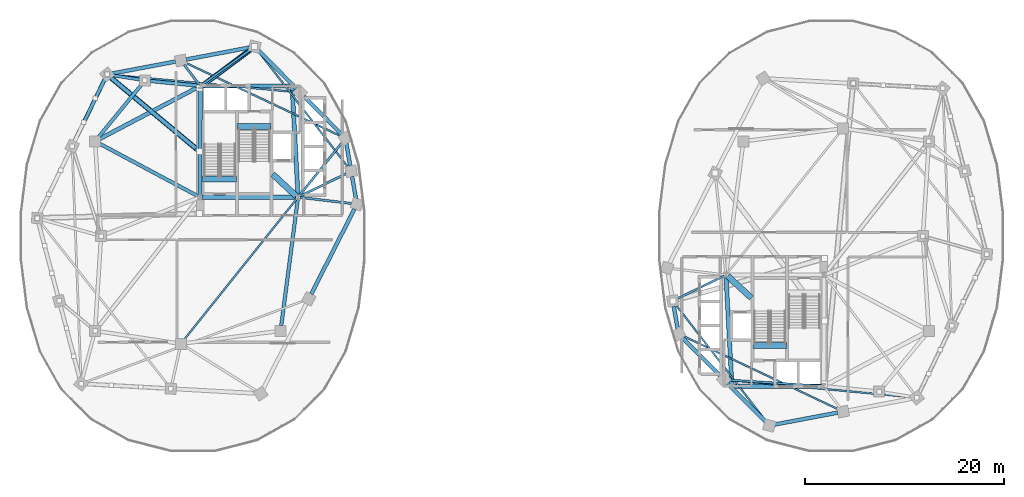
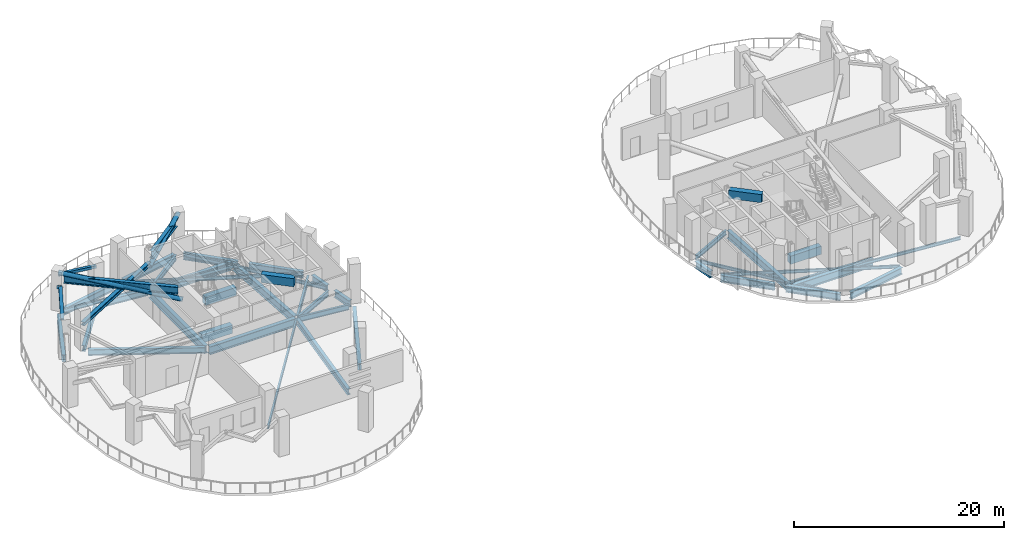
# One storey, part 2 of 12: 43 beams, 6 members.
"""IFC4 building model written with IfcOpenShell, lengths in metres."""

from ifc_helpers import new_model, si_unit, direction, frame, origin, origin_2d, place, context, subcontext, project, spatial, rectangle, hollow_rectangle, hollow_circle, i_section, extrude, material, material_profile, profile_set, type_object, element, save


model = new_model("IFC4")

# Units and contexts
model_context = context("Model", 3, precision=1e-05, world=origin(), true_north=direction((0.0, 1.0)))
body_context = subcontext(model_context, "Body", "Model", "MODEL_VIEW")
ifc_project = project(units=[si_unit("LENGTHUNIT", "METRE"), si_unit("AREAUNIT", "SQUARE_METRE"), si_unit("VOLUMEUNIT", "CUBIC_METRE"), si_unit("PLANEANGLEUNIT", "RADIAN"), si_unit("MASSUNIT", "GRAM", prefix="KILO"), si_unit("THERMODYNAMICTEMPERATUREUNIT", "KELVIN"), si_unit("POWERUNIT", "WATT")], contexts=[model_context])

# Site, building, storey
site_placement = place(None, origin())
site = spatial("IfcSite", under=ifc_project, at=site_placement, CompositionType="ELEMENT")
building_placement = place(site_placement, origin())
building = spatial("IfcBuilding", under=site, at=building_placement, Name="Cundina Bronze Exchange", CompositionType="ELEMENT")
storey_placement = place(building_placement, frame((0.0, 0.0, 132.199951171875)))
storey = spatial("IfcBuildingStorey", under=building, at=storey_placement, Name="L34", CompositionType="ELEMENT", Elevation=132.199951171875)

# Beams
ifc_material_1 = material(Name="Concrete C60/75", Category="concrete")
ifc_material_profile_1 = material_profile(ifc_material_1, rectangle(XDim=0.60009765625, YDim=0.949951171875, at=origin_2d()), Name="RC600X950", Category="concrete")
ifc_profile_set_1 = profile_set([ifc_material_profile_1], Name="Concrete C60/75")
beam_type_1 = type_object("IfcBeamType", Name="BM-COUP-RC950", PredefinedType="LINTEL", material=ifc_profile_set_1)
beam_1_placement = place(storey_placement, frame((-31.02001953125, 5.719970703125, -0.474853515625), z_axis=(1.0, 0.0, 0.0), x_axis=(0.0, 1.0, 0.0)))
element("IfcBeam", 1, at=beam_1_placement, inside=storey, type_object=beam_type_1, Name="L34 Stair W1 Landing Header Beam", PredefinedType="LINTEL", context=body_context, shape_type="SweptSolid", body=[
    extrude(rectangle(XDim=0.60009765625, YDim=0.949951171875, at=origin_2d()), origin(), (0.0, 0.0, 1.0), 3.39990234375),
])
for number, where, z_axis, x_axis, name in (
    (2, (-27.56005859375, 10.97998046875, -0.474853515625), (1.0, 0.0, 0.0), (0.0, 1.0, 0.0), "L34 Stair W2 Landing Header Beam"),
    (3, (24.159912109375, -10.97998046875, -0.474853515625), (1.0, 0.0, 0.0), (0.0, 1.0, 0.0), "L34 Stair E2 Landing Header Beam"),
):
    element("IfcBeam", number, at=place(storey_placement, frame(where, z_axis=z_axis, x_axis=x_axis)), inside=storey, type_object=beam_type_1, Name=name, PredefinedType="LINTEL", context=body_context, shape_type="SweptSolid", body=[
        extrude(rectangle(XDim=0.60009765625, YDim=0.949951171875, at=origin_2d()), origin(), (0.0, 0.0, 1.0), 3.400146484375),
    ])
for number, where, z_axis, x_axis, name in (
    (4, (-23.989990234375, 6.199951171875, 3.885009765625), (0.731490439815, -0.681851696822, 0.0), (0.681851696822, 0.731490439815, 0.0), "L34 W Core Shear Coupling Lintel Beam"),
    (5, (21.6298828125, -4.0, 3.885009765625), (0.731490439815, -0.681851696822, 0.0), (0.681851696822, 0.731490439815, 0.0), "L34 E Core Shear Coupling Lintel Beam"),
):
    element("IfcBeam", number, at=place(storey_placement, frame(where, z_axis=z_axis, x_axis=x_axis)), inside=storey, type_object=beam_type_1, Name=name, PredefinedType="LINTEL", context=body_context, shape_type="SweptSolid", body=[
        extrude(rectangle(XDim=0.60009765625, YDim=0.949951171875, at=origin_2d()), origin(), (0.0, 0.0, 1.0), 3.226318359375),
    ])
ifc_material_2 = material(Name="Steel ASTM A992 Grade 50", Category="steel")
ifc_material_profile_2 = material_profile(ifc_material_2, i_section(OverallWidth=0.2099609375, OverallDepth=0.532958984375, WebThickness=0.01025390625, FlangeThickness=0.015625, FilletRadius=0.013916015625, at=origin_2d()), Name="W21X62", Category="steel")
ifc_profile_set_2 = profile_set([ifc_material_profile_2], Name="Steel ASTM A992 Grade 50")
beam_type_2 = type_object("IfcBeamType", Name="BM-FLR-W21B", PredefinedType="BEAM", material=ifc_profile_set_2)
beam_2_placement = place(storey_placement, frame((21.2666015625, -3.989501953125, -0.54638671875), z_axis=(-0.898607246385, -0.438753936443, 0.0), x_axis=(0.438753936443, -0.898607246385, 0.0)))
element("IfcBeam", 6, at=beam_2_placement, inside=storey, type_object=beam_type_2, Name="L34 Leg E Chordal Floor Beam 01", PredefinedType="BEAM", context=body_context, shape_type="SweptSolid", body=[
    extrude(i_section(OverallWidth=0.2099609375, OverallDepth=0.532958984375, WebThickness=0.01025390625, FlangeThickness=0.015625, FilletRadius=0.013916015625, at=origin_2d()), origin(), (0.0, 0.0, 1.0), 5.183837890625),
])
beam_3_placement = place(storey_placement, frame((31.04638671875, -15.036865234375, -0.54638671875), z_axis=(-0.997892901568, 0.064882640211, 0.0), x_axis=(-0.064882640211, -0.997892901568, 0.0)))
element("IfcBeam", 7, at=beam_3_placement, inside=storey, type_object=beam_type_2, Name="L34 Leg E Chordal Floor Beam 03", PredefinedType="BEAM", context=body_context, shape_type="SweptSolid", body=[
    extrude(i_section(OverallWidth=0.2099609375, OverallDepth=0.532958984375, WebThickness=0.01025390625, FlangeThickness=0.015625, FilletRadius=0.013916015625, at=origin_2d()), origin(), (0.0, 0.0, 1.0), 9.279052734375),
])
ifc_material_profile_3 = material_profile(ifc_material_2, i_section(OverallWidth=0.22998046875, OverallDepth=0.616943359375, WebThickness=0.01318359375, FlangeThickness=0.022216796875, FilletRadius=0.013916015625, at=origin_2d()), Name="W24X94", Category="steel")
ifc_profile_set_3 = profile_set([ifc_material_profile_3], Name="Steel ASTM A992 Grade 50")
beam_type_3 = type_object("IfcBeamType", Name="BM-FLR-W24B", PredefinedType="BEAM", material=ifc_profile_set_3)
beam_4_placement = place(storey_placement, frame((-21.247314453125, 3.8759765625, -0.58837890625), z_axis=(0.993035701683, -0.117813815752, 0.0), x_axis=(0.117813815752, 0.993035701683, 0.0)))
element("IfcBeam", 8, at=beam_4_placement, inside=storey, type_object=beam_type_3, Name="L34 Leg W Radial Floor Beam 00", PredefinedType="BEAM", context=body_context, shape_type="SweptSolid", body=[
    extrude(i_section(OverallWidth=0.22998046875, OverallDepth=0.616943359375, WebThickness=0.01318359375, FlangeThickness=0.022216796875, FilletRadius=0.013916015625, at=origin_2d()), origin(), (0.0, 0.0, 1.0), 5.19921875),
])
beam_5_placement = place(storey_placement, frame((-21.2666015625, 3.989501953125, -0.58837890625), z_axis=(0.898607246385, 0.438753936443, 0.0), x_axis=(-0.438753936443, 0.898607246385, 0.0)))
element("IfcBeam", 9, at=beam_5_placement, inside=storey, type_object=beam_type_3, Name="L34 Leg W Radial Floor Beam 01", PredefinedType="BEAM", context=body_context, shape_type="SweptSolid", body=[
    extrude(i_section(OverallWidth=0.22998046875, OverallDepth=0.616943359375, WebThickness=0.01318359375, FlangeThickness=0.022216796875, FilletRadius=0.013916015625, at=origin_2d()), origin(), (0.0, 0.0, 1.0), 5.183837890625),
])
beam_6_placement = place(storey_placement, frame((-21.322021484375, 4.058837890625, -0.58837890625), z_axis=(0.627106187843, 0.778933777139, 0.0), x_axis=(-0.778933777139, 0.627106187843, 0.0)))
element("IfcBeam", 10, at=beam_6_placement, inside=storey, type_object=beam_type_3, Name="L34 Leg W Radial Floor Beam 02", PredefinedType="BEAM", context=body_context, shape_type="SweptSolid", body=[
    extrude(i_section(OverallWidth=0.22998046875, OverallDepth=0.616943359375, WebThickness=0.01318359375, FlangeThickness=0.022216796875, FilletRadius=0.013916015625, at=origin_2d()), origin(), (0.0, 0.0, 1.0), 6.83251953125),
])
beam_7_placement = place(storey_placement, frame((-31.084716796875, 15.169677734375, -0.58837890625), z_axis=(0.809686957662, 0.586862020063, 0.0), x_axis=(-0.586862020063, 0.809686957662, 0.0)))
element("IfcBeam", 11, at=beam_7_placement, inside=storey, type_object=beam_type_3, Name="L34 Leg W Radial Floor Beam 04", PredefinedType="BEAM", context=body_context, shape_type="SweptSolid", body=[
    extrude(i_section(OverallWidth=0.22998046875, OverallDepth=0.616943359375, WebThickness=0.01318359375, FlangeThickness=0.022216796875, FilletRadius=0.013916015625, at=origin_2d()), origin(), (0.0, 0.0, 1.0), 5.98876953125),
])
beam_8_placement = place(storey_placement, frame((-31.373779296875, 15.2119140625, -0.58837890625), z_axis=(-0.607490490457, 0.79432695032, 0.0), x_axis=(-0.79432695032, -0.607490490457, 0.0)))
element("IfcBeam", 12, at=beam_8_placement, inside=storey, type_object=beam_type_3, Name="L34 Leg W Radial Floor Beam 05", PredefinedType="BEAM", context=body_context, shape_type="SweptSolid", body=[
    extrude(i_section(OverallWidth=0.22998046875, OverallDepth=0.616943359375, WebThickness=0.01318359375, FlangeThickness=0.022216796875, FilletRadius=0.013916015625, at=origin_2d()), origin(), (0.0, 0.0, 1.0), 2.46826171875),
])
ifc_material_profile_4 = material_profile(ifc_material_2, i_section(OverallWidth=0.172119140625, OverallDepth=0.35791015625, WebThickness=0.0078125, FlangeThickness=0.01318359375, FilletRadius=0.010009765625, at=origin_2d()), Name="W14X38", Category="steel")
ifc_profile_set_4 = profile_set([ifc_material_profile_4], Name="Steel ASTM A992 Grade 50")
beam_type_4 = type_object("IfcBeamType", Name="BM-JST-W14", PredefinedType="JOIST", material=ifc_profile_set_4)
beam_9_placement = place(storey_placement, frame((16.454345703125, -6.92529296875, -0.458984375), z_axis=(0.612065218806, -0.790807288742, 0.0), x_axis=(0.790807288742, 0.612065218806, 0.0)))
element("IfcBeam", 13, at=beam_9_placement, inside=storey, type_object=beam_type_4, Name="L34 Leg E Lobe Floor Joist 01-04", PredefinedType="JOIST", context=body_context, shape_type="SweptSolid", body=[
    extrude(i_section(OverallWidth=0.172119140625, OverallDepth=0.35791015625, WebThickness=0.0078125, FlangeThickness=0.01318359375, FilletRadius=0.010009765625, at=origin_2d()), origin(), (0.0, 0.0, 1.0), 14.73095703125),
])
beam_10_placement = place(storey_placement, frame((17.186279296875, -10.02978515625, -0.458984375), z_axis=(0.904069270633, -0.427385954259, 0.0), x_axis=(0.427385954259, 0.904069270633, 0.0)))
element("IfcBeam", 14, at=beam_10_placement, inside=storey, type_object=beam_type_4, Name="L34 Leg E Lobe Floor Joist 02-05", PredefinedType="JOIST", context=body_context, shape_type="SweptSolid", body=[
    extrude(i_section(OverallWidth=0.172119140625, OverallDepth=0.35791015625, WebThickness=0.0078125, FlangeThickness=0.01318359375, FilletRadius=0.010009765625, at=origin_2d()), origin(), (0.0, 0.0, 1.0), 17.175048828125),
])
beam_11_placement = place(storey_placement, frame((21.78564453125, -14.44970703125, -0.458984375), z_axis=(0.995700674022, -0.092629194921, 0.0), x_axis=(0.092629194921, 0.995700674022, 0.0)))
element("IfcBeam", 15, at=beam_11_placement, inside=storey, type_object=beam_type_4, Name="L34 Leg E Lobe Floor Joist 03-06", PredefinedType="JOIST", context=body_context, shape_type="SweptSolid", body=[
    extrude(i_section(OverallWidth=0.172119140625, OverallDepth=0.35791015625, WebThickness=0.0078125, FlangeThickness=0.01318359375, FilletRadius=0.010009765625, at=origin_2d()), origin(), (0.0, 0.0, 1.0), 18.357421875),
])
ifc_material_profile_5 = material_profile(ifc_material_2, i_section(OverallWidth=0.178955078125, OverallDepth=0.409912109375, WebThickness=0.0087890625, FlangeThickness=0.014404296875, FilletRadius=0.010986328125, at=origin_2d()), Name="W16X45", Category="steel")
ifc_profile_set_5 = profile_set([ifc_material_profile_5], Name="Steel ASTM A992 Grade 50")
beam_type_5 = type_object("IfcBeamType", Name="BM-JST-W16", PredefinedType="JOIST", material=ifc_profile_set_5)
beam_12_placement = place(storey_placement, frame((-21.577392578125, 3.740478515625, -0.48486328125), z_axis=(-0.62436887964, -0.781129632095, 0.0), x_axis=(0.781129632095, -0.62436887964, 0.0)))
element("IfcBeam", 16, at=beam_12_placement, inside=storey, type_object=beam_type_5, Name="L34 W Interior Core-to-Ring Joist 2", PredefinedType="JOIST", context=body_context, shape_type="SweptSolid", body=[
    extrude(i_section(OverallWidth=0.178955078125, OverallDepth=0.409912109375, WebThickness=0.0087890625, FlangeThickness=0.014404296875, FilletRadius=0.010986328125, at=origin_2d()), origin(), (0.0, 0.0, 1.0), 18.076904296875),
])
beam_13_placement = place(storey_placement, frame((-16.454345703125, 6.92529296875, -0.48486328125), z_axis=(-0.612065218806, 0.790807288742, 0.0), x_axis=(-0.790807288742, -0.612065218806, 0.0)))
element("IfcBeam", 17, at=beam_13_placement, inside=storey, type_object=beam_type_5, Name="L34 Leg W Lobe Floor Joist 01-04", PredefinedType="JOIST", context=body_context, shape_type="SweptSolid", body=[
    extrude(i_section(OverallWidth=0.178955078125, OverallDepth=0.409912109375, WebThickness=0.0087890625, FlangeThickness=0.014404296875, FilletRadius=0.010986328125, at=origin_2d()), origin(), (0.0, 0.0, 1.0), 14.73095703125),
])
beam_14_placement = place(storey_placement, frame((-17.186279296875, 10.02978515625, -0.48486328125), z_axis=(-0.904069270633, 0.427385954259, 0.0), x_axis=(-0.427385954259, -0.904069270633, 0.0)))
element("IfcBeam", 18, at=beam_14_placement, inside=storey, type_object=beam_type_5, Name="L34 Leg W Lobe Floor Joist 02-05", PredefinedType="JOIST", context=body_context, shape_type="SweptSolid", body=[
    extrude(i_section(OverallWidth=0.178955078125, OverallDepth=0.409912109375, WebThickness=0.0087890625, FlangeThickness=0.014404296875, FilletRadius=0.010986328125, at=origin_2d()), origin(), (0.0, 0.0, 1.0), 17.175048828125),
])
beam_15_placement = place(storey_placement, frame((-21.78564453125, 14.44970703125, -0.48486328125), z_axis=(-0.995700674022, 0.092629194921, 0.0), x_axis=(-0.092629194921, -0.995700674022, 0.0)))
element("IfcBeam", 19, at=beam_15_placement, inside=storey, type_object=beam_type_5, Name="L34 Leg W Lobe Floor Joist 03-06", PredefinedType="JOIST", context=body_context, shape_type="SweptSolid", body=[
    extrude(i_section(OverallWidth=0.178955078125, OverallDepth=0.409912109375, WebThickness=0.0087890625, FlangeThickness=0.014404296875, FilletRadius=0.010986328125, at=origin_2d()), origin(), (0.0, 0.0, 1.0), 18.357421875),
])
ifc_material_profile_6 = material_profile(ifc_material_2, i_section(OverallWidth=0.39990234375, OverallDepth=0.85498046875, WebThickness=0.018310546875, FlangeThickness=0.029296875, FilletRadius=0.02001953125, at=origin_2d()), Name="W33X201", Category="steel")
ifc_profile_set_6 = profile_set([ifc_material_profile_6], Name="Steel ASTM A992 Grade 50")
beam_type_6 = type_object("IfcBeamType", Name="BM-OUT-W33", PredefinedType="USERDEFINED", material=ifc_profile_set_6)
beam_16_placement = place(storey_placement, frame((-30.989501953125, 15.119384765625, 3.482666015625), z_axis=(0.800852184804, 0.598862069341, 0.0), x_axis=(-0.598862069341, 0.800852184804, 0.0)))
element("IfcBeam", 20, at=beam_16_placement, inside=storey, type_object=beam_type_6, Name="L34 W Outrigger Upper Tie Chord 1", ObjectType="GIRDER", PredefinedType="USERDEFINED", context=body_context, shape_type="SweptSolid", body=[
    extrude(i_section(OverallWidth=0.39990234375, OverallDepth=0.85498046875, WebThickness=0.018310546875, FlangeThickness=0.029296875, FilletRadius=0.02001953125, at=origin_2d()), origin(), (0.0, 0.0, 1.0), 5.94189453125),
])
beam_17_placement = place(storey_placement, frame((-31.69580078125, 8.787841796875, 3.482666015625), z_axis=(-0.768565336163, 0.639771306053, 0.0), x_axis=(-0.639771306053, -0.768565336163, 0.0)))
element("IfcBeam", 21, at=beam_17_placement, inside=storey, type_object=beam_type_6, Name="L34 W Outrigger Upper Tie Chord 2", ObjectType="GIRDER", PredefinedType="USERDEFINED", context=body_context, shape_type="SweptSolid", body=[
    extrude(i_section(OverallWidth=0.39990234375, OverallDepth=0.85498046875, WebThickness=0.018310546875, FlangeThickness=0.029296875, FilletRadius=0.02001953125, at=origin_2d()), origin(), (0.0, 0.0, 1.0), 11.047607421875),
])
ifc_material_profile_7 = material_profile(ifc_material_2, i_section(OverallWidth=0.35498046875, OverallDepth=0.695068359375, WebThickness=0.015380859375, FlangeThickness=0.02490234375, FilletRadius=0.01806640625, at=origin_2d()), Name="W27X146", Category="steel")
ifc_profile_set_7 = profile_set([ifc_material_profile_7], Name="Steel ASTM A992 Grade 50")
beam_type_7 = type_object("IfcBeamType", Name="BM-RING-W27", PredefinedType="USERDEFINED", material=ifc_profile_set_7)
beam_18_placement = place(storey_placement, frame((-31.452880859375, 15.070068359375, -0.62744140625), z_axis=(-0.995126271817, 0.098608839051, 0.0), x_axis=(-0.098608839051, -0.995126271817, 0.0)))
element("IfcBeam", 22, at=beam_18_placement, inside=storey, type_object=beam_type_7, Name="L34 W Inner Structural Ring Girder 01", ObjectType="GIRDER", PredefinedType="USERDEFINED", context=body_context, shape_type="SweptSolid", body=[
    extrude(i_section(OverallWidth=0.35498046875, OverallDepth=0.695068359375, WebThickness=0.015380859375, FlangeThickness=0.02490234375, FilletRadius=0.01806640625, at=origin_2d()), origin(), (0.0, 0.0, 1.0), 4.83544921875),
])
beam_19_placement = place(storey_placement, frame((-37.14111328125, 15.183837890625, -0.62744140625), z_axis=(-0.633926549035, -0.773393257295, 0.0), x_axis=(0.773393257295, -0.633926549035, 0.0)))
element("IfcBeam", 23, at=beam_19_placement, inside=storey, type_object=beam_type_7, Name="L34 W Inner Structural Ring Girder 02", ObjectType="GIRDER", PredefinedType="USERDEFINED", context=body_context, shape_type="SweptSolid", body=[
    extrude(i_section(OverallWidth=0.35498046875, OverallDepth=0.695068359375, WebThickness=0.015380859375, FlangeThickness=0.02490234375, FilletRadius=0.01806640625, at=origin_2d()), origin(), (0.0, 0.0, 1.0), 6.811279296875),
])
beam_20_placement = place(storey_placement, frame((-23.13037109375, -8.966552734375, -0.62744140625), z_axis=(0.129507526533, 0.99157843894, 0.0), x_axis=(-0.99157843894, 0.129507526533, 0.0)))
element("IfcBeam", 24, at=beam_20_placement, inside=storey, type_object=beam_type_7, Name="L34 W Inner Structural Ring Girder 07", ObjectType="GIRDER", PredefinedType="USERDEFINED", context=body_context, shape_type="SweptSolid", body=[
    extrude(i_section(OverallWidth=0.35498046875, OverallDepth=0.695068359375, WebThickness=0.015380859375, FlangeThickness=0.02490234375, FilletRadius=0.01806640625, at=origin_2d()), origin(), (0.0, 0.0, 1.0), 12.77197265625),
])
beam_21_placement = place(storey_placement, frame((-31.47998046875, 3.99609375, -0.62744140625), z_axis=(-0.882354758239, 0.470584828286, 0.0), x_axis=(-0.470584828286, -0.882354758239, 0.0)))
element("IfcBeam", 25, at=beam_21_placement, inside=storey, type_object=beam_type_7, Name="L34 W Core-to-Waist Tie Beam 2", ObjectType="GIRDER", PredefinedType="USERDEFINED", context=body_context, shape_type="SweptSolid", body=[
    extrude(i_section(OverallWidth=0.35498046875, OverallDepth=0.695068359375, WebThickness=0.015380859375, FlangeThickness=0.02490234375, FilletRadius=0.01806640625, at=origin_2d()), origin(), (0.0, 0.0, 1.0), 11.157958984375),
])
ifc_material_profile_8 = material_profile(ifc_material_2, i_section(OverallWidth=0.381103515625, OverallDepth=0.77294921875, WebThickness=0.0166015625, FlangeThickness=0.027099609375, FilletRadius=0.01904296875, at=origin_2d()), Name="W30X173", Category="steel")
ifc_profile_set_8 = profile_set([ifc_material_profile_8], Name="Steel ASTM A992 Grade 50")
beam_type_8 = type_object("IfcBeamType", Name="BM-RING-W30", PredefinedType="USERDEFINED", material=ifc_profile_set_8)
for number, where, z_axis, x_axis, name in (
    (26, (-15.642333984375, 3.72998046875, -0.66650390625), (-0.171690078326, 0.985151012284, 0.0), (-0.985151012284, -0.171690078326, 0.0), "L34 W Perimeter Ring Girder 00"),
    (27, (-16.21728515625, 7.030029296875, -0.66650390625), (-0.171690078326, 0.985151012284, 0.0), (-0.985151012284, -0.171690078326, 0.0), "L34 W Perimeter Ring Girder 01"),
):
    element("IfcBeam", number, at=place(storey_placement, frame(where, z_axis=z_axis, x_axis=x_axis)), inside=storey, type_object=beam_type_8, Name=name, ObjectType="GIRDER", PredefinedType="USERDEFINED", context=body_context, shape_type="SweptSolid", body=[
        extrude(i_section(OverallWidth=0.381103515625, OverallDepth=0.77294921875, WebThickness=0.0166015625, FlangeThickness=0.027099609375, FilletRadius=0.01904296875, at=origin_2d()), origin(), (0.0, 0.0, 1.0), 2.273681640625),
    ])
for number, where, z_axis, x_axis, name in (
    (28, (-17.078369140625, 10.1826171875, -0.66650390625), (-0.703226342126, 0.7109660412, 0.0), (-0.7109660412, -0.703226342126, 0.0), "L34 W Perimeter Ring Girder 02"),
    (29, (-21.62841796875, 14.782470703125, -0.66650390625), (-0.703226342126, 0.7109660412, 0.0), (-0.7109660412, -0.703226342126, 0.0), "L34 W Perimeter Ring Girder 03"),
):
    element("IfcBeam", number, at=place(storey_placement, frame(where, z_axis=z_axis, x_axis=x_axis)), inside=storey, type_object=beam_type_8, Name=name, ObjectType="GIRDER", PredefinedType="USERDEFINED", context=body_context, shape_type="SweptSolid", body=[
        extrude(i_section(OverallWidth=0.381103515625, OverallDepth=0.77294921875, WebThickness=0.0166015625, FlangeThickness=0.027099609375, FilletRadius=0.01904296875, at=origin_2d()), origin(), (0.0, 0.0, 1.0), 5.39404296875),
    ])
for number, where, z_axis, x_axis, name in (
    (30, (-26.32861328125, 18.89990234375, -0.66650390625), (-0.98257117919, -0.185886733861, 0.0), (0.185886733861, -0.98257117919, 0.0), "L34 W Perimeter Ring Girder 04"),
    (31, (-33.728515625, 17.5, -0.66650390625), (-0.98257117919, -0.185886733861, 0.0), (0.185886733861, -0.98257117919, 0.0), "L34 W Perimeter Ring Girder 05"),
):
    element("IfcBeam", number, at=place(storey_placement, frame(where, z_axis=z_axis, x_axis=x_axis)), inside=storey, type_object=beam_type_8, Name=name, ObjectType="GIRDER", PredefinedType="USERDEFINED", context=body_context, shape_type="SweptSolid", body=[
        extrude(i_section(OverallWidth=0.381103515625, OverallDepth=0.77294921875, WebThickness=0.0166015625, FlangeThickness=0.027099609375, FilletRadius=0.01904296875, at=origin_2d()), origin(), (0.0, 0.0, 1.0), 6.455322265625),
    ])
beam_22_placement = place(storey_placement, frame((-40.835205078125, 15.716064453125, -0.66650390625), z_axis=(-0.437193894283, -0.899367276924, 0.0), x_axis=(0.899367276924, -0.437193894283, 0.0)))
element("IfcBeam", 32, at=beam_22_placement, inside=storey, type_object=beam_type_8, Name="L34 W Perimeter Ring Girder 06", ObjectType="GIRDER", PredefinedType="USERDEFINED", context=body_context, shape_type="SweptSolid", body=[
    extrude(i_section(OverallWidth=0.381103515625, OverallDepth=0.77294921875, WebThickness=0.0166015625, FlangeThickness=0.027099609375, FilletRadius=0.01904296875, at=origin_2d()), origin(), (0.0, 0.0, 1.0), 6.929443359375),
])
beam_23_placement = place(storey_placement, frame((-20.13134765625, -5.8203125, -0.66650390625), z_axis=(0.452832332744, 0.891595692241, 0.0), x_axis=(-0.891595692241, 0.452832332744, 0.0)))
element("IfcBeam", 33, at=beam_23_placement, inside=storey, type_object=beam_type_8, Name="L34 W Perimeter Ring Girder 13", ObjectType="GIRDER", PredefinedType="USERDEFINED", context=body_context, shape_type="SweptSolid", body=[
    extrude(i_section(OverallWidth=0.381103515625, OverallDepth=0.77294921875, WebThickness=0.0166015625, FlangeThickness=0.027099609375, FilletRadius=0.01904296875, at=origin_2d()), origin(), (0.0, 0.0, 1.0), 9.578857421875),
])
beam_24_placement = place(storey_placement, frame((16.21728515625, -7.030029296875, -0.66650390625), z_axis=(0.171690078326, -0.985151012284, 0.0), x_axis=(0.985151012284, 0.171690078326, 0.0)))
element("IfcBeam", 34, at=beam_24_placement, inside=storey, type_object=beam_type_8, Name="L34 E Perimeter Ring Girder 01", ObjectType="GIRDER", PredefinedType="USERDEFINED", context=body_context, shape_type="SweptSolid", body=[
    extrude(i_section(OverallWidth=0.381103515625, OverallDepth=0.77294921875, WebThickness=0.0166015625, FlangeThickness=0.027099609375, FilletRadius=0.01904296875, at=origin_2d()), origin(), (0.0, 0.0, 1.0), 2.273681640625),
])
for number, where, z_axis, x_axis, name in (
    (35, (17.078369140625, -10.1826171875, -0.66650390625), (0.703226342126, -0.7109660412, 0.0), (0.7109660412, 0.703226342126, 0.0), "L34 E Perimeter Ring Girder 02"),
    (36, (21.62841796875, -14.782470703125, -0.66650390625), (0.703226342126, -0.7109660412, 0.0), (0.7109660412, 0.703226342126, 0.0), "L34 E Perimeter Ring Girder 03"),
):
    element("IfcBeam", number, at=place(storey_placement, frame(where, z_axis=z_axis, x_axis=x_axis)), inside=storey, type_object=beam_type_8, Name=name, ObjectType="GIRDER", PredefinedType="USERDEFINED", context=body_context, shape_type="SweptSolid", body=[
        extrude(i_section(OverallWidth=0.381103515625, OverallDepth=0.77294921875, WebThickness=0.0166015625, FlangeThickness=0.027099609375, FilletRadius=0.01904296875, at=origin_2d()), origin(), (0.0, 0.0, 1.0), 5.39404296875),
    ])
beam_25_placement = place(storey_placement, frame((26.32861328125, -18.89990234375, -0.66650390625), z_axis=(0.98257117919, 0.185886733861, 0.0), x_axis=(-0.185886733861, 0.98257117919, 0.0)))
element("IfcBeam", 37, at=beam_25_placement, inside=storey, type_object=beam_type_8, Name="L34 E Perimeter Ring Girder 04", ObjectType="GIRDER", PredefinedType="USERDEFINED", context=body_context, shape_type="SweptSolid", body=[
    extrude(i_section(OverallWidth=0.381103515625, OverallDepth=0.77294921875, WebThickness=0.0166015625, FlangeThickness=0.027099609375, FilletRadius=0.01904296875, at=origin_2d()), origin(), (0.0, 0.0, 1.0), 6.455322265625),
])
ifc_material_profile_9 = material_profile(ifc_material_2, i_section(OverallWidth=0.41796875, OverallDepth=0.927001953125, WebThickness=0.019287109375, FlangeThickness=0.031982421875, FilletRadius=0.02392578125, at=origin_2d()), Name="W36X231", Category="steel")
ifc_profile_set_9 = profile_set([ifc_material_profile_9], Name="Steel ASTM A992 Grade 50")
beam_type_9 = type_object("IfcBeamType", Name="BM-WRN-W36B", PredefinedType="USERDEFINED", material=ifc_profile_set_9)
beam_26_placement = place(storey_placement, frame((-31.095947265625, 3.89990234375, -0.743408203125), z_axis=(1.0, 0.0, 0.0), x_axis=(0.0, 1.0, 0.0)))
element("IfcBeam", 38, at=beam_26_placement, inside=storey, type_object=beam_type_9, Name="L34 W Core Perimeter Tie Girder 1", ObjectType="GIRDER", PredefinedType="USERDEFINED", context=body_context, shape_type="SweptSolid", body=[
    extrude(i_section(OverallWidth=0.41796875, OverallDepth=0.927001953125, WebThickness=0.019287109375, FlangeThickness=0.031982421875, FilletRadius=0.02392578125, at=origin_2d()), origin(), (0.0, 0.0, 1.0), 9.44189453125),
])
beam_27_placement = place(storey_placement, frame((-21.4609375, 4.103759765625, -0.743408203125), z_axis=(-0.053739193498, 0.998555005537, 0.0), x_axis=(-0.998555005537, -0.053739193498, 0.0)))
element("IfcBeam", 39, at=beam_27_placement, inside=storey, type_object=beam_type_9, Name="L34 W Core Perimeter Tie Girder 2", ObjectType="GIRDER", PredefinedType="USERDEFINED", context=body_context, shape_type="SweptSolid", body=[
    extrude(i_section(OverallWidth=0.41796875, OverallDepth=0.927001953125, WebThickness=0.019287109375, FlangeThickness=0.031982421875, FilletRadius=0.02392578125, at=origin_2d()), origin(), (0.0, 0.0, 1.0), 10.758056640625),
])
beam_28_placement = place(storey_placement, frame((-22.25390625, 15.050048828125, -0.743408203125), z_axis=(-1.0, 0.0, 0.0), x_axis=(0.0, -1.0, 0.0)))
element("IfcBeam", 40, at=beam_28_placement, inside=storey, type_object=beam_type_9, Name="L34 W Core Perimeter Tie Girder 3", ObjectType="GIRDER", PredefinedType="USERDEFINED", context=body_context, shape_type="SweptSolid", body=[
    extrude(i_section(OverallWidth=0.41796875, OverallDepth=0.927001953125, WebThickness=0.019287109375, FlangeThickness=0.031982421875, FilletRadius=0.02392578125, at=origin_2d()), origin(), (0.0, 0.0, 1.0), 8.7919921875),
])
beam_29_placement = place(storey_placement, frame((-31.2509765625, 14.845947265625, -0.743408203125), z_axis=(-0.004477329608, -0.99998997671, 0.0), x_axis=(0.99998997671, -0.004477329608, 0.0)))
element("IfcBeam", 41, at=beam_29_placement, inside=storey, type_object=beam_type_9, Name="L34 W Core Perimeter Tie Girder 4", ObjectType="GIRDER", PredefinedType="USERDEFINED", context=body_context, shape_type="SweptSolid", body=[
    extrude(i_section(OverallWidth=0.41796875, OverallDepth=0.927001953125, WebThickness=0.019287109375, FlangeThickness=0.031982421875, FilletRadius=0.02392578125, at=origin_2d()), origin(), (0.0, 0.0, 1.0), 10.741943359375),
])
beam_30_placement = place(storey_placement, frame((21.4609375, -4.103759765625, -0.743408203125), z_axis=(0.053739193498, -0.998555005537, 0.0), x_axis=(0.998555005537, 0.053739193498, 0.0)))
element("IfcBeam", 42, at=beam_30_placement, inside=storey, type_object=beam_type_9, Name="L34 E Core Perimeter Tie Girder 2", ObjectType="GIRDER", PredefinedType="USERDEFINED", context=body_context, shape_type="SweptSolid", body=[
    extrude(i_section(OverallWidth=0.41796875, OverallDepth=0.927001953125, WebThickness=0.019287109375, FlangeThickness=0.031982421875, FilletRadius=0.02392578125, at=origin_2d()), origin(), (0.0, 0.0, 1.0), 10.758056640625),
])
beam_31_placement = place(storey_placement, frame((22.25390625, -15.050048828125, -0.743408203125), z_axis=(1.0, 0.0, 0.0), x_axis=(0.0, 1.0, 0.0)))
element("IfcBeam", 43, at=beam_31_placement, inside=storey, type_object=beam_type_9, Name="L34 E Core Perimeter Tie Girder 3", ObjectType="GIRDER", PredefinedType="USERDEFINED", context=body_context, shape_type="SweptSolid", body=[
    extrude(i_section(OverallWidth=0.41796875, OverallDepth=0.927001953125, WebThickness=0.019287109375, FlangeThickness=0.031982421875, FilletRadius=0.02392578125, at=origin_2d()), origin(), (0.0, 0.0, 1.0), 8.7919921875),
])

# Members
ifc_material_3 = material(Name="Steel ASTM A500 Grade C", Category="steel")
ifc_material_profile_10 = material_profile(ifc_material_3, hollow_rectangle(XDim=0.300048828125, YDim=0.300048828125, WallThickness=0.01611328125, at=origin_2d()), Name="HSS300X300X16", Category="steel")
ifc_profile_set_10 = profile_set([ifc_material_profile_10], Name="Steel ASTM A500 Grade C")
member_type_1 = type_object("IfcMemberType", Name="MBR-BLT-HSS300", PredefinedType="STRUT", material=ifc_profile_set_10)
member_1_placement = place(storey_placement, frame((-36.800048828125, 15.60009765625, 3.91015625), z_axis=(-0.98776913913, 0.155923467706, 0.0), x_axis=(-0.155923467706, -0.98776913913, 0.0)))
element("IfcMember", 44, at=member_1_placement, inside=storey, type_object=member_type_1, Name="L34 W Outrigger Collector Strut 4", PredefinedType="STRUT", context=body_context, shape_type="SweptSolid", body=[
    extrude(hollow_rectangle(XDim=0.300048828125, YDim=0.300048828125, WallThickness=0.01611328125, at=origin_2d()), origin(), (0.0, 0.0, 1.0), 3.84716796875),
])
ifc_material_profile_11 = material_profile(ifc_material_3, hollow_rectangle(XDim=0.35009765625, YDim=0.35009765625, WallThickness=0.01904296875, at=origin_2d()), Name="HSS350X350X19", Category="steel")
ifc_profile_set_11 = profile_set([ifc_material_profile_11], Name="Steel ASTM A500 Grade C")
member_type_2 = type_object("IfcMemberType", Name="MBR-BLT-HSS350", PredefinedType="BRACE", material=ifc_profile_set_11)
member_2_placement = place(storey_placement, frame((-40.60009765625, 16.199951171875, 2.41015625), z_axis=(-0.355482423066, -0.731350401577, 0.582029927929), x_axis=(0.899384841713, -0.437157759278, 0.0)))
element("IfcMember", 45, at=member_2_placement, inside=storey, type_object=member_type_2, Name="L34 W Perimeter Belt M-Truss Diagonal 4A", PredefinedType="BRACE", context=body_context, shape_type="SweptSolid", body=[
    extrude(hollow_rectangle(XDim=0.35009765625, YDim=0.35009765625, WallThickness=0.01904296875, at=origin_2d()), origin(), (0.0, 0.0, 1.0), 3.281494140625),
])
member_3_placement = place(storey_placement, frame((-41.7666015625, 13.800048828125, 4.320068359375), z_axis=(-0.355528074031, -0.731365661394, -0.581982867367), x_axis=(0.899366355353, -0.437195790075, 0.0)))
element("IfcMember", 46, at=member_3_placement, inside=storey, type_object=member_type_2, Name="L34 W Perimeter Belt M-Truss Diagonal 4B", PredefinedType="BRACE", context=body_context, shape_type="SweptSolid", body=[
    extrude(hollow_rectangle(XDim=0.35009765625, YDim=0.35009765625, WallThickness=0.01904296875, at=origin_2d()), origin(), (0.0, 0.0, 1.0), 3.28173828125),
])
ifc_material_profile_12 = material_profile(ifc_material_2, i_section(OverallWidth=0.406005859375, OverallDepth=0.416015625, WebThickness=0.02978515625, FlangeThickness=0.048095703125, FilletRadius=0.01806640625, at=origin_2d()), Name="W14X257", Category="steel")
ifc_profile_set_12 = profile_set([ifc_material_profile_12], Name="Steel ASTM A992 Grade 50")
member_type_3 = type_object("IfcMemberType", Name="MBR-CHORD-W14", PredefinedType="CHORD", material=ifc_profile_set_12)
member_4_placement = place(storey_placement, frame((-31.25, 15.050048828125, 2.650146484375), z_axis=(-0.8850083895, -0.465575075058, 0.0), x_axis=(0.465575075058, -0.8850083895, 0.0)))
element("IfcMember", 47, at=member_4_placement, inside=storey, type_object=member_type_3, Name="L34 West Outrigger Mid-Height Tie Chord 2", PredefinedType="CHORD", context=body_context, shape_type="SweptSolid", body=[
    extrude(i_section(OverallWidth=0.406005859375, OverallDepth=0.416015625, WebThickness=0.02978515625, FlangeThickness=0.048095703125, FilletRadius=0.01806640625, at=origin_2d()), origin(), (0.0, 0.0, 1.0), 11.9208984375),
])
ifc_material_4 = material(Name="Steel ASTM A501 Grade B", Category="steel")
ifc_material_profile_13 = material_profile(ifc_material_4, hollow_circle(Radius=0.25390625, WallThickness=0.02490234375, at=origin_2d()), Name="CHS508X25", Category="steel")
ifc_profile_set_13 = profile_set([ifc_material_profile_13], Name="Steel ASTM A501 Grade B")
member_type_4 = type_object("IfcMemberType", Name="MBR-OUT-CHS508", PredefinedType="BRACE", material=ifc_profile_set_13)
member_5_placement = place(storey_placement, frame((-31.35009765625, 14.85009765625, 2.449951171875), z_axis=(0.777547090659, 0.581390289316, 0.239595186296), x_axis=(-0.598832557833, 0.800874252101, 0.0)))
element("IfcMember", 48, at=member_5_placement, inside=storey, type_object=member_type_4, Name="L34 W Outrigger Truss Diagonal 1", PredefinedType="BRACE", context=body_context, shape_type="SweptSolid", body=[
    extrude(hollow_circle(Radius=0.25390625, WallThickness=0.02490234375, at=origin_2d()), origin(), (0.0, 0.0, 1.0), 7.137939453125),
])
member_6_placement = place(storey_placement, frame((-31.35009765625, 8.5, 2.449951171875), z_axis=(-0.760919952101, 0.633410429933, 0.140684234176), x_axis=(-0.639773284379, -0.768563689355, 0.0)))
element("IfcMember", 49, at=member_6_placement, inside=storey, type_object=member_type_4, Name="L34 W Outrigger Truss Diagonal 2", PredefinedType="BRACE", context=body_context, shape_type="SweptSolid", body=[
    extrude(hollow_circle(Radius=0.25390625, WallThickness=0.02490234375, at=origin_2d()), origin(), (0.0, 0.0, 1.0), 12.15625),
])

save(model, "model.ifc")
